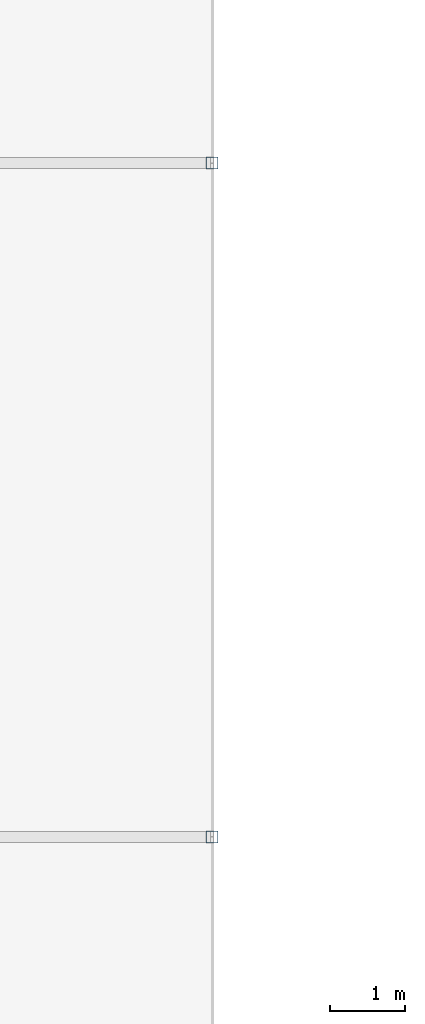
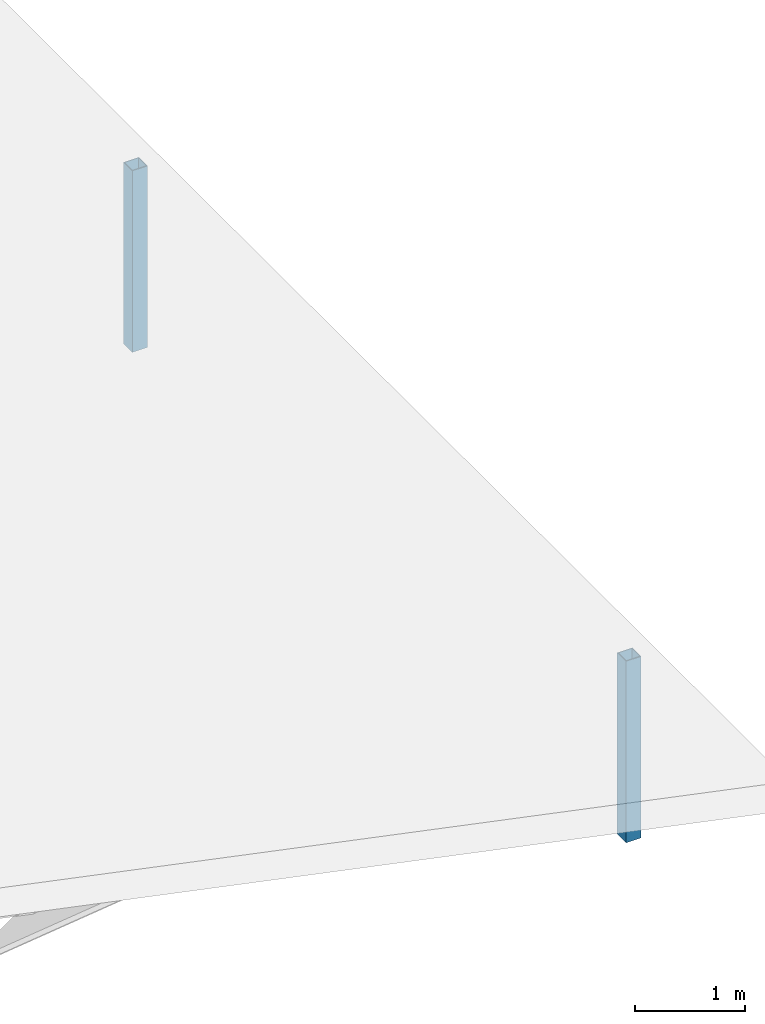
# One storey, part 6 of 93: 2 columns.
"""IFC4 building model written with IfcOpenShell, lengths in metres."""

from ifc_helpers import new_model, si_unit, direction, frame, origin, origin_2d, place, context, subcontext, project, spatial, hollow_rectangle, extrude, material, material_profile, profile_set, type_object, element, save


model = new_model("IFC4")

# Units and contexts
model_context = context("Model", 3, precision=1e-05, world=origin(), true_north=direction((0.0, 1.0)))
body_context = subcontext(model_context, "Body", "Model", "MODEL_VIEW")
ifc_project = project(units=[si_unit("LENGTHUNIT", "METRE"), si_unit("AREAUNIT", "SQUARE_METRE"), si_unit("VOLUMEUNIT", "CUBIC_METRE"), si_unit("PLANEANGLEUNIT", "RADIAN"), si_unit("MASSUNIT", "GRAM", prefix="KILO")], contexts=[model_context])

# Site, building, storey
site_placement = place(None, origin())
site = spatial("IfcSite", under=ifc_project, at=site_placement, CompositionType="ELEMENT")
building_placement = place(site_placement, origin())
building = spatial("IfcBuilding", under=site, at=building_placement, Name="Vourika Railside Aquatics Centre", CompositionType="ELEMENT")
storey_placement = place(building_placement, frame((0.0, 0.0, 21.89990234375)))
storey = spatial("IfcBuildingStorey", under=building, at=storey_placement, Name="Roof", CompositionType="ELEMENT", Elevation=21.89990234375)

# Columns
ifc_material = material(Name="Steel S355J2", Category="steel")
ifc_material_profile = material_profile(ifc_material, hollow_rectangle(XDim=0.159912109375, YDim=0.159912109375, WallThickness=0.008056640625, at=origin_2d()), Name="SHS 160x160x8")
ifc_profile_set = profile_set([ifc_material_profile], Name="Steel S355J2")
column_type = type_object("IfcColumnType", Name="COL-STL-SHS160", PredefinedType="COLUMN", material=ifc_profile_set)
for number, where, z_axis, x_axis, name in (
    (1, (36.0, 75.0, -4.199951171875), (0.0, 0.0, 1.0), (1.0, 0.0, 0.0), "West Link East Roof Post (36,75)"),
    (2, (36.0, 84.0, -4.199951171875), (0.0, 0.0, 1.0), (1.0, 0.0, 0.0), "West Link East Roof Post (36,84)"),
):
    element("IfcColumn", number, at=place(storey_placement, frame(where, z_axis=z_axis, x_axis=x_axis)), inside=storey, type_object=column_type, Name=name, PredefinedType="COLUMN", context=body_context, shape_type="SweptSolid", body=[
        extrude(hollow_rectangle(XDim=0.159912109375, YDim=0.159912109375, WallThickness=0.008056640625, at=origin_2d()), origin(), (0.0, 0.0, 1.0), 2.02001953125),
    ])

save(model, "model.ifc")
